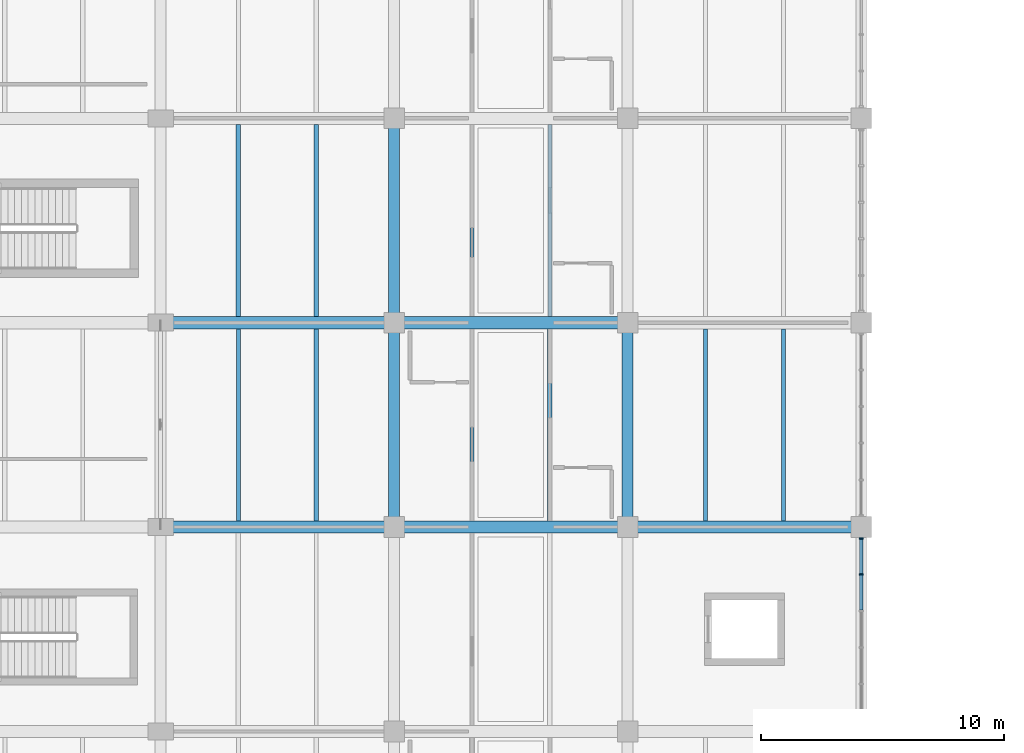
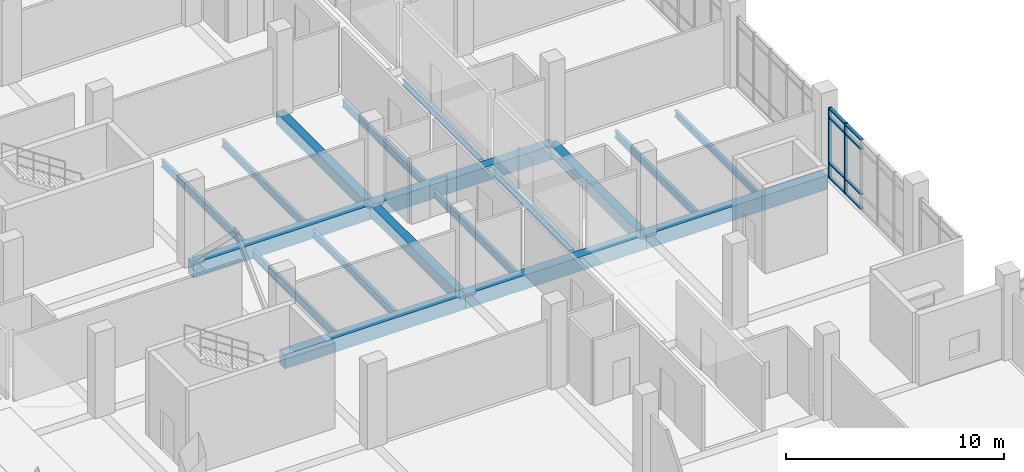
# One storey, part 17 of 152: 18 beams, 10 members, 1 element without a shape of its own.
"""IFC4 building model written with IfcOpenShell, lengths in metres."""

from ifc_helpers import new_model, si_unit, direction, frame, origin, origin_2d, place, context, subcontext, project, spatial, rectangle, i_section, extrude, material, material_profile, profile_set, type_object, element, aggregate, save


model = new_model("IFC4")

# Units and contexts
model_context = context("Model", 3, precision=1e-05, world=origin(), true_north=direction((0.0, 1.0)))
body_context = subcontext(model_context, "Body", "Model", "MODEL_VIEW")
ifc_project = project(units=[si_unit("LENGTHUNIT", "METRE"), si_unit("AREAUNIT", "SQUARE_METRE"), si_unit("VOLUMEUNIT", "CUBIC_METRE"), si_unit("PLANEANGLEUNIT", "RADIAN"), si_unit("MASSUNIT", "GRAM", prefix="KILO")], contexts=[model_context])

# Site, building, storey
site_placement = place(None, origin())
site = spatial("IfcSite", under=ifc_project, at=site_placement, CompositionType="ELEMENT")
building_placement = place(site_placement, origin())
building = spatial("IfcBuilding", under=site, at=building_placement, Name="Oolite Switchyard Hospital", CompositionType="ELEMENT")
storey_placement = place(building_placement, frame((0.0, 0.0, 5.10009765625)))
storey = spatial("IfcBuildingStorey", under=building, at=storey_placement, Name="L01", CompositionType="ELEMENT", Elevation=5.10009765625)

# Beams
ifc_material_1 = material(Name="Concrete C40/50", Category="concrete")
ifc_material_profile_1 = material_profile(ifc_material_1, rectangle(XDim=0.449951171875, YDim=0.64990234375, at=origin_2d()), Name="RCB450X650")
ifc_profile_set_1 = profile_set([ifc_material_profile_1], Name="Concrete C40/50")
beam_type_1 = type_object("IfcBeamType", Name="BM-RC450X650", PredefinedType="BEAM", material=ifc_profile_set_1)
beam_1_placement = place(storey_placement, frame((38.39990234375, 50.39990234375, -0.3251953125), z_axis=(0.0, 1.0, 0.0), x_axis=(-1.0, 0.0, 0.0)))
element("IfcBeam", 1, at=beam_1_placement, inside=storey, type_object=beam_type_1, Name="L01 Y-Girder 356", PredefinedType="BEAM", context=body_context, shape_type="SweptSolid", body=[
    extrude(rectangle(XDim=0.449951171875, YDim=0.64990234375, at=origin_2d()), origin(), (0.0, 0.0, 1.0), 8.400146484375),
])
beam_2_placement = place(storey_placement, frame((38.39990234375, 58.800048828125, -0.3251953125), z_axis=(0.0, 1.0, 0.0), x_axis=(-1.0, 0.0, 0.0)))
element("IfcBeam", 2, at=beam_2_placement, inside=storey, type_object=beam_type_1, Name="L01 Y-Girder 357", PredefinedType="BEAM", context=body_context, shape_type="SweptSolid", body=[
    extrude(rectangle(XDim=0.449951171875, YDim=0.64990234375, at=origin_2d()), origin(), (0.0, 0.0, 1.0), 8.39990234375),
])
beam_3_placement = place(storey_placement, frame((48.0, 50.39990234375, -0.3251953125), z_axis=(0.0, 1.0, 0.0), x_axis=(-1.0, 0.0, 0.0)))
element("IfcBeam", 3, at=beam_3_placement, inside=storey, type_object=beam_type_1, Name="L01 Y-Girder 372", PredefinedType="BEAM", context=body_context, shape_type="SweptSolid", body=[
    extrude(rectangle(XDim=0.449951171875, YDim=0.64990234375, at=origin_2d()), origin(), (0.0, 0.0, 1.0), 8.400146484375),
])
ifc_material_profile_2 = material_profile(ifc_material_1, rectangle(XDim=0.5, YDim=0.800048828125, at=origin_2d()), Name="RCB500X800")
ifc_profile_set_2 = profile_set([ifc_material_profile_2], Name="Concrete C40/50")
beam_type_2 = type_object("IfcBeamType", Name="BM-RC500X800", PredefinedType="BEAM", material=ifc_profile_set_2)
beam_4_placement = place(storey_placement, frame((28.800048828125, 50.39990234375, -0.400146484375), z_axis=(1.0, 0.0, 0.0), x_axis=(0.0, 1.0, 0.0)))
element("IfcBeam", 4, at=beam_4_placement, inside=storey, type_object=beam_type_2, Name="L01 X-Girder 99", PredefinedType="BEAM", context=body_context, shape_type="SweptSolid", body=[
    extrude(rectangle(XDim=0.5, YDim=0.800048828125, at=origin_2d()), origin(), (0.0, 0.0, 1.0), 9.599853515625),
])
for number, where, z_axis, x_axis, name in (
    (5, (38.39990234375, 50.39990234375, -0.400146484375), (1.0, 0.0, 0.0), (0.0, 1.0, 0.0), "L01 X-Girder 100"),
    (6, (48.0, 50.39990234375, -0.400146484375), (1.0, 0.0, 0.0), (0.0, 1.0, 0.0), "L01 X-Girder 101"),
):
    element("IfcBeam", number, at=place(storey_placement, frame(where, z_axis=z_axis, x_axis=x_axis)), inside=storey, type_object=beam_type_2, Name=name, PredefinedType="BEAM", context=body_context, shape_type="SweptSolid", body=[
        extrude(rectangle(XDim=0.5, YDim=0.800048828125, at=origin_2d()), origin(), (0.0, 0.0, 1.0), 9.60009765625),
    ])
beam_5_placement = place(storey_placement, frame((28.800048828125, 58.800048828125, -0.400146484375), z_axis=(1.0, 0.0, 0.0), x_axis=(0.0, 1.0, 0.0)))
element("IfcBeam", 7, at=beam_5_placement, inside=storey, type_object=beam_type_2, Name="L01 X-Girder 115", PredefinedType="BEAM", context=body_context, shape_type="SweptSolid", body=[
    extrude(rectangle(XDim=0.5, YDim=0.800048828125, at=origin_2d()), origin(), (0.0, 0.0, 1.0), 9.599853515625),
])
beam_6_placement = place(storey_placement, frame((38.39990234375, 58.800048828125, -0.400146484375), z_axis=(1.0, 0.0, 0.0), x_axis=(0.0, 1.0, 0.0)))
element("IfcBeam", 8, at=beam_6_placement, inside=storey, type_object=beam_type_2, Name="L01 X-Girder 116", PredefinedType="BEAM", context=body_context, shape_type="SweptSolid", body=[
    extrude(rectangle(XDim=0.5, YDim=0.800048828125, at=origin_2d()), origin(), (0.0, 0.0, 1.0), 9.60009765625),
])
ifc_material_2 = material(Name="Steel ASTM A992 Grade 50", Category="steel")
ifc_material_profile_3 = material_profile(ifc_material_2, i_section(OverallWidth=0.1708984375, OverallDepth=0.35107421875, WebThickness=0.007080078125, FlangeThickness=0.010009765625, at=origin_2d()), Name="W14X30")
ifc_profile_set_3 = profile_set([ifc_material_profile_3], Name="Steel ASTM A992 Grade 50")
beam_type_3 = type_object("IfcBeamType", Name="BM-W14X30", PredefinedType="JOIST", material=ifc_profile_set_3)
beam_7_placement = place(storey_placement, frame((44.800048828125, 59.050048828125, -0.47607421875), z_axis=(0.0, 1.0, 0.0), x_axis=(-1.0, 0.0, 0.0)))
element("IfcBeam", 9, at=beam_7_placement, inside=storey, type_object=beam_type_3, Name="L01 Secondary Steel Joist 695", PredefinedType="JOIST", context=body_context, shape_type="SweptSolid", body=[
    extrude(i_section(OverallWidth=0.1708984375, OverallDepth=0.35107421875, WebThickness=0.007080078125, FlangeThickness=0.010009765625, at=origin_2d()), origin(), (0.0, 0.0, 1.0), 7.89990234375),
])
beam_8_placement = place(storey_placement, frame((54.39990234375, 50.64990234375, -0.47607421875), z_axis=(0.0, 1.0, 0.0), x_axis=(-1.0, 0.0, 0.0)))
element("IfcBeam", 10, at=beam_8_placement, inside=storey, type_object=beam_type_3, Name="L01 Secondary Steel Joist 721", PredefinedType="JOIST", context=body_context, shape_type="SweptSolid", body=[
    extrude(i_section(OverallWidth=0.1708984375, OverallDepth=0.35107421875, WebThickness=0.007080078125, FlangeThickness=0.010009765625, at=origin_2d()), origin(), (0.0, 0.0, 1.0), 7.900146484375),
])
ifc_material_profile_4 = material_profile(ifc_material_2, i_section(OverallWidth=0.177978515625, OverallDepth=0.403076171875, WebThickness=0.008056640625, FlangeThickness=0.010986328125, at=origin_2d()), Name="W16X36")
ifc_profile_set_4 = profile_set([ifc_material_profile_4], Name="Steel ASTM A992 Grade 50")
beam_type_4 = type_object("IfcBeamType", Name="BM-W16X36", PredefinedType="JOIST", material=ifc_profile_set_4)
beam_9_placement = place(storey_placement, frame((35.199951171875, 59.050048828125, -0.502197265625), z_axis=(0.0, 1.0, 0.0), x_axis=(-1.0, 0.0, 0.0)))
element("IfcBeam", 11, at=beam_9_placement, inside=storey, type_object=beam_type_4, Name="L01 Secondary Steel Joist 665", PredefinedType="JOIST", context=body_context, shape_type="SweptSolid", body=[
    extrude(i_section(OverallWidth=0.177978515625, OverallDepth=0.403076171875, WebThickness=0.008056640625, FlangeThickness=0.010986328125, at=origin_2d()), origin(), (0.0, 0.0, 1.0), 7.89990234375),
])
beam_10_placement = place(storey_placement, frame((44.800048828125, 50.64990234375, -0.502197265625), z_axis=(0.0, 1.0, 0.0), x_axis=(-1.0, 0.0, 0.0)))
element("IfcBeam", 12, at=beam_10_placement, inside=storey, type_object=beam_type_4, Name="L01 Secondary Steel Joist 693", PredefinedType="JOIST", context=body_context, shape_type="SweptSolid", body=[
    extrude(i_section(OverallWidth=0.177978515625, OverallDepth=0.403076171875, WebThickness=0.008056640625, FlangeThickness=0.010986328125, at=origin_2d()), origin(), (0.0, 0.0, 1.0), 7.900146484375),
])
beam_11_placement = place(storey_placement, frame((41.60009765625, 59.050048828125, -0.502197265625), z_axis=(0.0, 1.0, 0.0), x_axis=(-1.0, 0.0, 0.0)))
element("IfcBeam", 13, at=beam_11_placement, inside=storey, type_object=beam_type_4, Name="L01 Secondary Steel Joist 694", PredefinedType="JOIST", context=body_context, shape_type="SweptSolid", body=[
    extrude(i_section(OverallWidth=0.177978515625, OverallDepth=0.403076171875, WebThickness=0.008056640625, FlangeThickness=0.010986328125, at=origin_2d()), origin(), (0.0, 0.0, 1.0), 7.89990234375),
])
beam_12_placement = place(storey_placement, frame((51.199951171875, 50.64990234375, -0.502197265625), z_axis=(0.0, 1.0, 0.0), x_axis=(-1.0, 0.0, 0.0)))
element("IfcBeam", 14, at=beam_12_placement, inside=storey, type_object=beam_type_4, Name="L01 Secondary Steel Joist 720", PredefinedType="JOIST", context=body_context, shape_type="SweptSolid", body=[
    extrude(i_section(OverallWidth=0.177978515625, OverallDepth=0.403076171875, WebThickness=0.008056640625, FlangeThickness=0.010986328125, at=origin_2d()), origin(), (0.0, 0.0, 1.0), 7.900146484375),
])
ifc_material_profile_5 = material_profile(ifc_material_2, i_section(OverallWidth=0.179931640625, OverallDepth=0.4130859375, WebThickness=0.010009765625, FlangeThickness=0.01611328125, at=origin_2d()), Name="W16X50")
ifc_profile_set_5 = profile_set([ifc_material_profile_5], Name="Steel ASTM A992 Grade 50")
beam_type_5 = type_object("IfcBeamType", Name="BM-W16X50", PredefinedType="JOIST", material=ifc_profile_set_5)
beam_13_placement = place(storey_placement, frame((35.199951171875, 50.64990234375, -0.506103515625), z_axis=(0.0, 1.0, 0.0), x_axis=(-1.0, 0.0, 0.0)))
element("IfcBeam", 15, at=beam_13_placement, inside=storey, type_object=beam_type_5, Name="L01 Secondary Steel Joist 663", PredefinedType="JOIST", context=body_context, shape_type="SweptSolid", body=[
    extrude(i_section(OverallWidth=0.179931640625, OverallDepth=0.4130859375, WebThickness=0.010009765625, FlangeThickness=0.01611328125, at=origin_2d()), origin(), (0.0, 0.0, 1.0), 7.900146484375),
])
beam_14_placement = place(storey_placement, frame((32.0, 59.050048828125, -0.506103515625), z_axis=(0.0, 1.0, 0.0), x_axis=(-1.0, 0.0, 0.0)))
element("IfcBeam", 16, at=beam_14_placement, inside=storey, type_object=beam_type_5, Name="L01 Secondary Steel Joist 664", PredefinedType="JOIST", context=body_context, shape_type="SweptSolid", body=[
    extrude(i_section(OverallWidth=0.179931640625, OverallDepth=0.4130859375, WebThickness=0.010009765625, FlangeThickness=0.01611328125, at=origin_2d()), origin(), (0.0, 0.0, 1.0), 7.89990234375),
])
beam_15_placement = place(storey_placement, frame((41.60009765625, 50.64990234375, -0.506103515625), z_axis=(0.0, 1.0, 0.0), x_axis=(-1.0, 0.0, 0.0)))
element("IfcBeam", 17, at=beam_15_placement, inside=storey, type_object=beam_type_5, Name="L01 Secondary Steel Joist 692", PredefinedType="JOIST", context=body_context, shape_type="SweptSolid", body=[
    extrude(i_section(OverallWidth=0.179931640625, OverallDepth=0.4130859375, WebThickness=0.010009765625, FlangeThickness=0.01611328125, at=origin_2d()), origin(), (0.0, 0.0, 1.0), 7.900146484375),
])
ifc_material_profile_6 = material_profile(ifc_material_2, i_section(OverallWidth=0.153076171875, OverallDepth=0.455078125, WebThickness=0.008056640625, FlangeThickness=0.012939453125, at=origin_2d()), Name="W18X40")
ifc_profile_set_6 = profile_set([ifc_material_profile_6], Name="Steel ASTM A992 Grade 50")
beam_type_6 = type_object("IfcBeamType", Name="BM-W18X40", PredefinedType="JOIST", material=ifc_profile_set_6)
beam_16_placement = place(storey_placement, frame((32.0, 50.64990234375, -0.528076171875), z_axis=(0.0, 1.0, 0.0), x_axis=(-1.0, 0.0, 0.0)))
element("IfcBeam", 18, at=beam_16_placement, inside=storey, type_object=beam_type_6, Name="L01 Secondary Steel Joist 662", PredefinedType="JOIST", context=body_context, shape_type="SweptSolid", body=[
    extrude(i_section(OverallWidth=0.153076171875, OverallDepth=0.455078125, WebThickness=0.008056640625, FlangeThickness=0.012939453125, at=origin_2d()), origin(), (0.0, 0.0, 1.0), 7.900146484375),
])

# Curtain wall, members
ifc_material_3 = material(Name="Thermally broken aluminum frame with laminated impact glazing", Category="aluminium")
curtain_wall_type = type_object("IfcCurtainWallType", Name="CW-UNIT-84X48", PredefinedType="USERDEFINED", material=ifc_material_3)
curtain_wall_placement = place(storey_placement, origin())
curtain_wall = element("IfcCurtainWall", 19, at=curtain_wall_placement, inside=storey, type_object=curtain_wall_type, Name="L01 Unitised Curtain Wall 171", ObjectType="UNITISED", PredefinedType="USERDEFINED")
ifc_material_4 = material(Name="Aluminium 6063-T6", Category="aluminium")
ifc_material_profile_7 = material_profile(ifc_material_4, rectangle(XDim=0.179931640625, YDim=0.070068359375, at=origin_2d()), Name="CWM70X180")
ifc_profile_set_7 = profile_set([ifc_material_profile_7], Name="Aluminium 6063-T6")
member_type_1 = type_object("IfcMemberType", Name="CW-MUL-220", PredefinedType="MULLION", material=ifc_profile_set_7)
member_1_placement = place(storey_placement, frame((57.60009765625, 49.925048828125, 0.0), z_axis=(0.0, 0.0, 1.0), x_axis=(1.0, 0.0, 0.0)))
member_1 = element("IfcMember", 20, at=member_1_placement, type_object=member_type_1, Name="CW-07 mullion 1", PredefinedType="MULLION", context=body_context, shape_type="SweptSolid", body=[
    extrude(rectangle(XDim=0.179931640625, YDim=0.070068359375, at=origin_2d()), origin(), (0.0, 0.0, 1.0), 3.93994140625),
])
member_2_placement = place(storey_placement, frame((57.60009765625, 48.4560546875, 0.0), z_axis=(0.0, 0.0, 1.0), x_axis=(1.0, 0.0, 0.0)))
member_2 = element("IfcMember", 21, at=member_2_placement, type_object=member_type_1, Name="CW-07 mullion 2", PredefinedType="MULLION", context=body_context, shape_type="SweptSolid", body=[
    extrude(rectangle(XDim=0.179931640625, YDim=0.070068359375, at=origin_2d()), origin(), (0.0, 0.0, 1.0), 3.93994140625),
])
ifc_material_profile_8 = material_profile(ifc_material_4, rectangle(XDim=0.159912109375, YDim=0.074951171875, at=origin_2d()), Name="CWT75X160")
ifc_profile_set_8 = profile_set([ifc_material_profile_8], Name="Aluminium 6063-T6")
member_type_2 = type_object("IfcMemberType", Name="CW-TRN-180", PredefinedType="USERDEFINED", material=ifc_profile_set_8)
member_3_placement = place(storey_placement, frame((57.60009765625, 49.889892578125, 0.037353515625), z_axis=(0.0, -1.0, 0.0), x_axis=(1.0, 0.0, 0.0)))
member_3 = element("IfcMember", 22, at=member_3_placement, type_object=member_type_2, Name="CW-07 transom 1.1", ObjectType="TRANSOM", PredefinedType="USERDEFINED", context=body_context, shape_type="SweptSolid", body=[
    extrude(rectangle(XDim=0.159912109375, YDim=0.074951171875, at=origin_2d()), origin(), (0.0, 0.0, 1.0), 1.39892578125),
])
member_4_placement = place(storey_placement, frame((57.60009765625, 49.889892578125, 0.849853515625), z_axis=(0.0, -1.0, 0.0), x_axis=(1.0, 0.0, 0.0)))
member_4 = element("IfcMember", 23, at=member_4_placement, type_object=member_type_2, Name="CW-07 transom 1.2", ObjectType="TRANSOM", PredefinedType="USERDEFINED", context=body_context, shape_type="SweptSolid", body=[
    extrude(rectangle(XDim=0.159912109375, YDim=0.074951171875, at=origin_2d()), origin(), (0.0, 0.0, 1.0), 1.39892578125),
])
member_5_placement = place(storey_placement, frame((57.60009765625, 49.889892578125, 3.389892578125), z_axis=(0.0, -1.0, 0.0), x_axis=(1.0, 0.0, 0.0)))
member_5 = element("IfcMember", 24, at=member_5_placement, type_object=member_type_2, Name="CW-07 transom 1.3", ObjectType="TRANSOM", PredefinedType="USERDEFINED", context=body_context, shape_type="SweptSolid", body=[
    extrude(rectangle(XDim=0.159912109375, YDim=0.074951171875, at=origin_2d()), origin(), (0.0, 0.0, 1.0), 1.39892578125),
])
member_6_placement = place(storey_placement, frame((57.60009765625, 49.889892578125, 3.90234375), z_axis=(0.0, -1.0, 0.0), x_axis=(1.0, 0.0, 0.0)))
member_6 = element("IfcMember", 25, at=member_6_placement, type_object=member_type_2, Name="CW-07 transom 1.4", ObjectType="TRANSOM", PredefinedType="USERDEFINED", context=body_context, shape_type="SweptSolid", body=[
    extrude(rectangle(XDim=0.159912109375, YDim=0.074951171875, at=origin_2d()), origin(), (0.0, 0.0, 1.0), 1.39892578125),
])
member_7_placement = place(storey_placement, frame((57.60009765625, 48.4208984375, 0.037353515625), z_axis=(0.0, -1.0, 0.0), x_axis=(1.0, 0.0, 0.0)))
member_7 = element("IfcMember", 26, at=member_7_placement, type_object=member_type_2, Name="CW-07 transom 2.1", ObjectType="TRANSOM", PredefinedType="USERDEFINED", context=body_context, shape_type="SweptSolid", body=[
    extrude(rectangle(XDim=0.159912109375, YDim=0.074951171875, at=origin_2d()), origin(), (0.0, 0.0, 1.0), 1.433837890625),
])
member_8_placement = place(storey_placement, frame((57.60009765625, 48.4208984375, 0.849853515625), z_axis=(0.0, -1.0, 0.0), x_axis=(1.0, 0.0, 0.0)))
member_8 = element("IfcMember", 27, at=member_8_placement, type_object=member_type_2, Name="CW-07 transom 2.2", ObjectType="TRANSOM", PredefinedType="USERDEFINED", context=body_context, shape_type="SweptSolid", body=[
    extrude(rectangle(XDim=0.159912109375, YDim=0.074951171875, at=origin_2d()), origin(), (0.0, 0.0, 1.0), 1.433837890625),
])
member_9_placement = place(storey_placement, frame((57.60009765625, 48.4208984375, 3.389892578125), z_axis=(0.0, -1.0, 0.0), x_axis=(1.0, 0.0, 0.0)))
member_9 = element("IfcMember", 28, at=member_9_placement, type_object=member_type_2, Name="CW-07 transom 2.3", ObjectType="TRANSOM", PredefinedType="USERDEFINED", context=body_context, shape_type="SweptSolid", body=[
    extrude(rectangle(XDim=0.159912109375, YDim=0.074951171875, at=origin_2d()), origin(), (0.0, 0.0, 1.0), 1.433837890625),
])
member_10_placement = place(storey_placement, frame((57.60009765625, 48.4208984375, 3.90234375), z_axis=(0.0, -1.0, 0.0), x_axis=(1.0, 0.0, 0.0)))
member_10 = element("IfcMember", 29, at=member_10_placement, type_object=member_type_2, Name="CW-07 transom 2.4", ObjectType="TRANSOM", PredefinedType="USERDEFINED", context=body_context, shape_type="SweptSolid", body=[
    extrude(rectangle(XDim=0.159912109375, YDim=0.074951171875, at=origin_2d()), origin(), (0.0, 0.0, 1.0), 1.433837890625),
])
aggregate(curtain_wall, [member_1, member_2, member_3, member_4, member_5, member_6, member_7, member_8, member_9, member_10])

save(model, "model.ifc")
